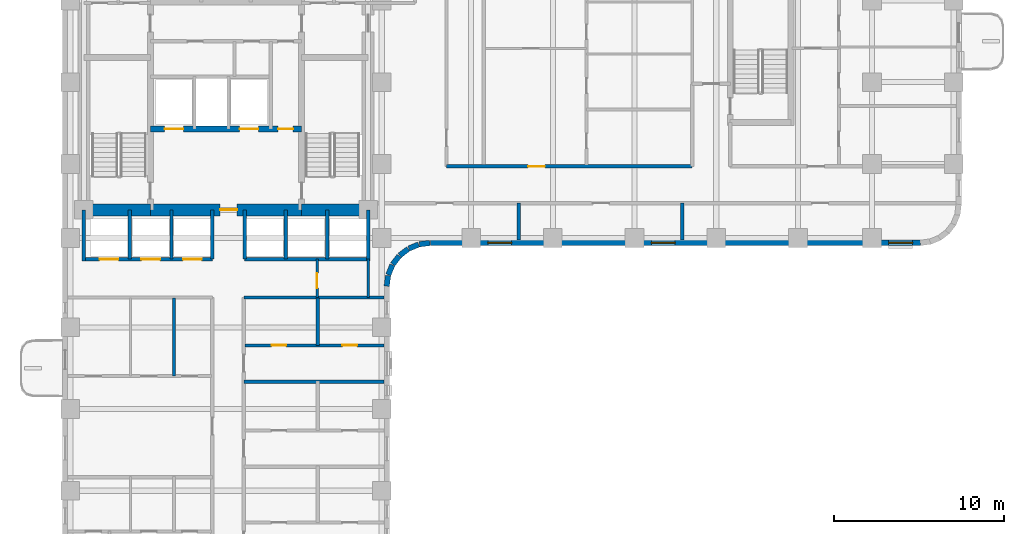
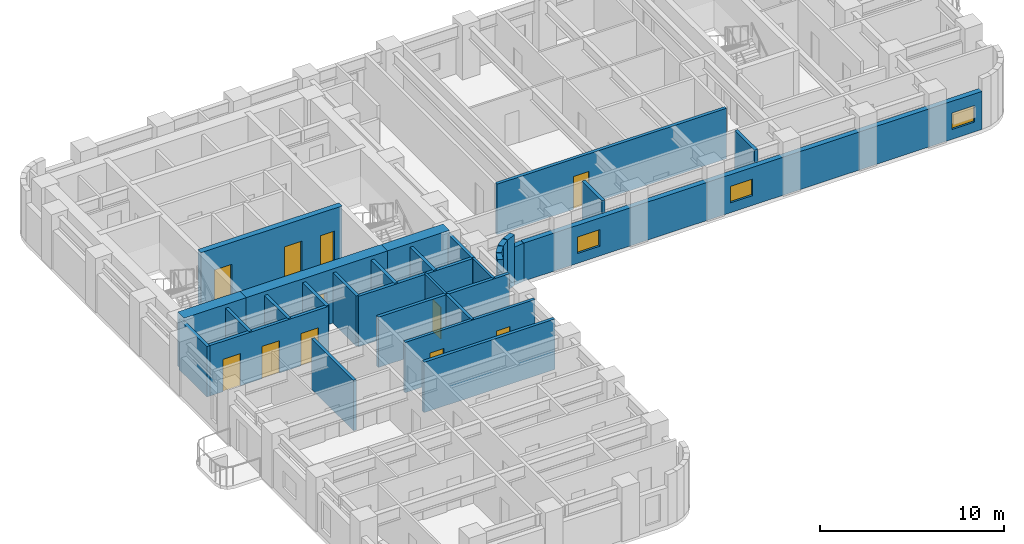
# One storey, part 4 of 11: 31 walls, 11 doors, 3 windows, 14 openings.
"""IFC4 building model written with IfcOpenShell, lengths in metres."""

from ifc_helpers import new_model, si_unit, direction, frame, frame_2d, origin, place, context, subcontext, project, spatial, rectangle, extrude, material, layer, layer_set, type_object, element, fill, save


model = new_model("IFC4")

# Units and contexts
model_context = context("Model", 3, precision=1e-05, world=origin(), true_north=direction((0.0, 1.0)))
body_context = subcontext(model_context, "Body", "Model", "MODEL_VIEW")
ifc_project = project(units=[si_unit("LENGTHUNIT", "METRE"), si_unit("AREAUNIT", "SQUARE_METRE"), si_unit("VOLUMEUNIT", "CUBIC_METRE"), si_unit("PLANEANGLEUNIT", "RADIAN"), si_unit("MASSUNIT", "GRAM", prefix="KILO")], contexts=[model_context])

# Site, building, storey
site_placement = place(None, origin())
site = spatial("IfcSite", under=ifc_project, at=site_placement, CompositionType="ELEMENT")
building_placement = place(site_placement, origin())
building = spatial("IfcBuilding", under=site, at=building_placement, Name="Orvandelia Arch Residences", CompositionType="ELEMENT")
storey_placement = place(building_placement, frame((0.0, 0.0, 61.0)))
storey = spatial("IfcBuildingStorey", under=building, at=storey_placement, Name="L15", CompositionType="ELEMENT", Elevation=61.0)

# Wall, openings, doors
ifc_material_1 = material(Name="Concrete C50/60", Category="concrete")
ifc_layer_1 = layer(ifc_material_1, 0.35009765625, Name="Concrete C50/60", Category="concrete")
ifc_layer_set_1 = layer_set([ifc_layer_1], Name="Concrete C50/60")
wall_type_1 = type_object("IfcWallType", Name="WL-CORE-350", PredefinedType="SHEAR", material=ifc_layer_set_1)
wall_1_placement = place(storey_placement, frame((9.9599609375, 35.64990234375, 0.0), z_axis=(0.0, 0.0, 1.0), x_axis=(1.0, 0.0, 0.0)))
wall_1 = element("IfcWall", 1, at=wall_1_placement, inside=storey, type_object=wall_type_1, Name="Core Shear Wall L15-HZ3", PredefinedType="SHEAR", context=body_context, shape_type="SweptSolid", body=[
    extrude(rectangle(XDim=8.880126953125, YDim=0.35009765625, at=frame_2d((4.43994140625, 0.0))), origin(), (0.0, 0.0, 1.0), 3.60009765625),
])
opening_1_placement = place(wall_1_placement, frame((0.840087890625, 0.0, 0.0)))
opening_1 = element("IfcOpeningElement", 2, at=opening_1_placement, cuts=wall_1, Name="Opening FLD", PredefinedType="OPENING", context=body_context, shape_type="SweptSolid", body=[
    extrude(rectangle(XDim=1.10009765625, YDim=2.14990234375, at=frame_2d((0.550048828125, 1.074951171875))), frame((0.0, 0.18505859375, 0.0), z_axis=(0.0, -1.0, 0.0), x_axis=(1.0, 0.0, 0.0)), (0.0, 0.0, 1.0), 0.3701171875),
])
opening_2_placement = place(wall_1_placement, frame((5.239990234375, 0.0, 0.0)))
opening_2 = element("IfcOpeningElement", 3, at=opening_2_placement, cuts=wall_1, Name="Opening FLD", PredefinedType="OPENING", context=body_context, shape_type="SweptSolid", body=[
    extrude(rectangle(XDim=1.10009765625, YDim=2.14990234375, at=frame_2d((0.550048828125, 1.074951171875))), frame((0.0, 0.18505859375, 0.0), z_axis=(0.0, -1.0, 0.0), x_axis=(1.0, 0.0, 0.0)), (0.0, 0.0, 1.0), 0.3701171875),
])
opening_3_placement = place(wall_1_placement, frame((7.5, 0.0, 0.0)))
opening_3 = element("IfcOpeningElement", 4, at=opening_3_placement, cuts=wall_1, Name="Opening D5", PredefinedType="OPENING", context=body_context, shape_type="SweptSolid", body=[
    extrude(rectangle(XDim=0.8798828125, YDim=2.10009765625, at=frame_2d((0.43994140625, 1.050048828125))), frame((0.0, 0.18505859375, 0.0), z_axis=(0.0, -1.0, 0.0), x_axis=(1.0, 0.0, 0.0)), (0.0, 0.0, 1.0), 0.3701171875),
])
ifc_material_2 = material(Name="Firefighting Lift Stainless Sliding Door")
door_type_1 = type_object("IfcDoorType", Name="DR-FLFT-1100", OperationType="NOTDEFINED", PredefinedType="DOOR", material=ifc_material_2)
door_1_placement = place(opening_1_placement, origin())
door_1 = element("IfcDoor", 5, at=door_1_placement, inside=storey, type_object=door_type_1, Name="Firefighting Lift Landing Door FLD-FL1-L15", OperationType="SLIDING_TO_LEFT", OverallHeight=2.14990234375, OverallWidth=1.10009765625, PredefinedType="DOOR", context=body_context, shape_type="SweptSolid", body=[
    extrude(rectangle(XDim=1.10009765625, YDim=2.14990234375, at=frame_2d((0.550048828125, 1.074951171875))), frame((0.0, 0.02490234375, 0.0), z_axis=(0.0, -1.0, 0.0), x_axis=(1.0, 0.0, 0.0)), (0.0, 0.0, 1.0), 0.050048828125),
])
fill(opening_1, door_1)
door_2_placement = place(opening_2_placement, origin())
door_2 = element("IfcDoor", 6, at=door_2_placement, inside=storey, type_object=door_type_1, Name="Firefighting Lift Landing Door FLD-FL2-L15", OperationType="SLIDING_TO_RIGHT", OverallHeight=2.14990234375, OverallWidth=1.10009765625, PredefinedType="DOOR", context=body_context, shape_type="SweptSolid", body=[
    extrude(rectangle(XDim=1.10009765625, YDim=2.14990234375, at=frame_2d((0.550048828125, 1.074951171875))), frame((0.0, 0.02490234375, 0.0), z_axis=(0.0, -1.0, 0.0), x_axis=(1.0, 0.0, 0.0)), (0.0, 0.0, 1.0), 0.050048828125),
])
fill(opening_2, door_2)
ifc_material_3 = material(Name="Painted Galvanised Steel Service Door", Category="steel")
door_type_2 = type_object("IfcDoorType", Name="DR-SRV-880", OperationType="NOTDEFINED", PredefinedType="DOOR", material=ifc_material_3)
door_3_placement = place(opening_3_placement, origin())
door_3 = element("IfcDoor", 7, at=door_3_placement, inside=storey, type_object=door_type_2, Name="Core Stairway Passage South Fire Door L15", OperationType="SINGLE_SWING_LEFT", OverallHeight=2.10009765625, OverallWidth=0.8798828125, PredefinedType="DOOR", context=body_context, shape_type="SweptSolid", body=[
    extrude(rectangle(XDim=0.8798828125, YDim=2.10009765625, at=frame_2d((0.43994140625, 1.050048828125))), frame((0.0, 0.02490234375, 0.0), z_axis=(0.0, -1.0, 0.0), x_axis=(1.0, 0.0, 0.0)), (0.0, 0.0, 1.0), 0.050048828125),
])
fill(opening_3, door_3)

# Wall
ifc_material_4 = material(Name="Concrete C80/95", Category="concrete")
ifc_layer_2 = layer(ifc_material_4, 0.699951171875, Name="Concrete C80/95", Category="concrete")
ifc_layer_set_2 = layer_set([ifc_layer_2], Name="Concrete C80/95")
wall_type_2 = type_object("IfcWallType", Name="WL-CORE-700", PredefinedType="SHEAR", material=ifc_layer_set_2)
wall_2_placement = place(storey_placement, frame((6.050048828125, 30.89990234375, 0.0), z_axis=(0.0, 0.0, 1.0), x_axis=(1.0, 0.0, 0.0)))
element("IfcWall", 8, at=wall_2_placement, inside=storey, type_object=wall_type_2, Name="Core Shear Wall L15-SW", PredefinedType="SHEAR", context=body_context, shape_type="SweptSolid", body=[
    extrude(rectangle(XDim=3.909912109375, YDim=0.699951171875, at=frame_2d((1.955078125, 0.0))), origin(), (0.0, 0.0, 1.0), 3.60009765625),
])

# Wall, opening, door
wall_3_placement = place(storey_placement, frame((9.9599609375, 30.89990234375, 0.0), z_axis=(0.0, 0.0, 1.0), x_axis=(1.0, 0.0, 0.0)))
wall_3 = element("IfcWall", 9, at=wall_3_placement, inside=storey, type_object=wall_type_2, Name="Core Shear Wall L15-SM", PredefinedType="SHEAR", context=body_context, shape_type="SweptSolid", body=[
    extrude(rectangle(XDim=8.880126953125, YDim=0.699951171875, at=frame_2d((4.43994140625, 0.0))), origin(), (0.0, 0.0, 1.0), 3.60009765625),
])
opening_4_placement = place(wall_3_placement, frame((4.090087890625, 0.0, 0.0)))
opening_4 = element("IfcOpeningElement", 10, at=opening_4_placement, cuts=wall_3, Name="Opening D6", PredefinedType="OPENING", context=body_context, shape_type="SweptSolid", body=[
    extrude(rectangle(XDim=1.0, YDim=2.14990234375, at=frame_2d((0.5, 1.074951171875))), frame((0.0, 0.35986328125, 0.0), z_axis=(0.0, -1.0, 0.0), x_axis=(1.0, 0.0, 0.0)), (0.0, 0.0, 1.0), 0.719970703125),
])
ifc_material_5 = material(Name="Smokeproof Painted Steel Fire Door", Category="steel")
door_type_3 = type_object("IfcDoorType", Name="DR-FD60-1000", OperationType="NOTDEFINED", PredefinedType="DOOR", material=ifc_material_5)
door_4_placement = place(opening_4_placement, origin())
door_4 = element("IfcDoor", 11, at=door_4_placement, inside=storey, type_object=door_type_3, Name="Firefighting Lobby Smokeproof Door L15", OperationType="SINGLE_SWING_LEFT", OverallHeight=2.14990234375, OverallWidth=1.0, PredefinedType="DOOR", context=body_context, shape_type="SweptSolid", body=[
    extrude(rectangle(XDim=1.0, YDim=2.14990234375, at=frame_2d((0.5, 1.074951171875))), frame((0.0, 0.02490234375, 0.0), z_axis=(0.0, -1.0, 0.0), x_axis=(1.0, 0.0, 0.0)), (0.0, 0.0, 1.0), 0.050048828125),
])
fill(opening_4, door_4)

# Walls
wall_4_placement = place(storey_placement, frame((18.840087890625, 30.89990234375, 0.0), z_axis=(0.0, 0.0, 1.0), x_axis=(1.0, 0.0, 0.0)))
element("IfcWall", 12, at=wall_4_placement, inside=storey, type_object=wall_type_2, Name="Core Shear Wall L15-SE", PredefinedType="SHEAR", context=body_context, shape_type="SweptSolid", body=[
    extrude(rectangle(XDim=3.909912109375, YDim=0.699951171875, at=frame_2d((1.955078125, 0.0))), origin(), (0.0, 0.0, 1.0), 3.60009765625),
])
ifc_material_6 = material(Name="Fire-Rated Corridor Partition")
ifc_layer_3 = layer(ifc_material_6, 0.199951171875, Name="Fire-Rated Corridor Partition")
ifc_layer_set_3 = layer_set([ifc_layer_3], Name="Fire-Rated Corridor Partition")
wall_type_3 = type_object("IfcWallType", Name="WL-CORR-200", PredefinedType="PARTITIONING", material=ifc_layer_set_3)
wall_5_placement = place(storey_placement, frame((15.449951171875, 25.75, 0.0), z_axis=(0.0, 0.0, 1.0), x_axis=(1.0, 0.0, 0.0)))
element("IfcWall", 13, at=wall_5_placement, inside=storey, type_object=wall_type_3, Name="Interior Partition Wall WL-L15-WCLS-E", PredefinedType="PARTITIONING", context=body_context, shape_type="SweptSolid", body=[
    extrude(rectangle(XDim=8.22998046875, YDim=0.199951171875, at=frame_2d((4.114990234375, 0.0))), origin(), (0.0, 0.0, 1.0), 3.35009765625),
])

# Wall, opening, door
wall_6_placement = place(storey_placement, frame((27.35009765625, 33.449951171875, 0.0), z_axis=(0.0, 0.0, 1.0), x_axis=(1.0, 0.0, 0.0)))
wall_6 = element("IfcWall", 14, at=wall_6_placement, inside=storey, type_object=wall_type_3, Name="Interior Partition Wall WL-L15-ES-N1", PredefinedType="PARTITIONING", context=body_context, shape_type="SweptSolid", body=[
    extrude(rectangle(XDim=14.429931640625, YDim=0.199951171875, at=frame_2d((7.21484375, 0.0))), origin(), (0.0, 0.0, 1.0), 3.35009765625),
])
opening_5_placement = place(wall_6_placement, frame((4.803466796875, 0.0, 0.0)))
opening_5 = element("IfcOpeningElement", 15, at=opening_5_placement, cuts=wall_6, Name="Opening D1", PredefinedType="OPENING", context=body_context, shape_type="SweptSolid", body=[
    extrude(rectangle(XDim=0.97998046875, YDim=2.179931640625, at=frame_2d((0.489990234375, 1.08984375))), frame((0.0, 0.10986328125, 0.0), z_axis=(0.0, -1.0, 0.0), x_axis=(1.0, 0.0, 0.0)), (0.0, 0.0, 1.0), 0.219970703125),
])
ifc_material_7 = material(Name="Solid-Core Timber Acoustic Fire Door", Category="wood")
door_type_4 = type_object("IfcDoorType", Name="DR-ENT-980", OperationType="NOTDEFINED", PredefinedType="DOOR", material=ifc_material_7)
door_5_placement = place(opening_5_placement, origin())
door_5 = element("IfcDoor", 16, at=door_5_placement, inside=storey, type_object=door_type_4, Name="Unit L15-07 Entrance Door", OperationType="SINGLE_SWING_LEFT", OverallHeight=2.179931640625, OverallWidth=0.97998046875, PredefinedType="DOOR", context=body_context, shape_type="SweptSolid", body=[
    extrude(rectangle(XDim=0.97998046875, YDim=2.179931640625, at=frame_2d((0.489990234375, 1.08984375))), frame((0.0, 0.02490234375, 0.0), z_axis=(0.0, -1.0, 0.0), x_axis=(1.0, 0.0, 0.0)), (0.0, 0.0, 1.0), 0.050048828125),
])
fill(opening_5, door_5)

# Walls
ifc_material_8 = material(Name="Concrete C40/50", Category="concrete")
ifc_layer_4 = layer(ifc_material_8, 0.199951171875, Name="Concrete C40/50", Category="concrete")
ifc_layer_set_4 = layer_set([ifc_layer_4], Name="Concrete C40/50")
wall_type_4 = type_object("IfcWallType", Name="WL-DEM-200", PredefinedType="SOLIDWALL", material=ifc_layer_set_4)
wall_7_placement = place(storey_placement, frame((15.449951171875, 20.800048828125, 0.0), z_axis=(0.0, 0.0, 1.0), x_axis=(1.0, 0.0, 0.0)))
element("IfcWall", 17, at=wall_7_placement, inside=storey, type_object=wall_type_4, Name="Interior Partition Wall WL-L15-DEM-WR-208", PredefinedType="SOLIDWALL", context=body_context, shape_type="SweptSolid", body=[
    extrude(rectangle(XDim=8.22998046875, YDim=0.199951171875, at=frame_2d((4.114990234375, 0.0))), origin(), (0.0, 0.0, 1.0), 3.35009765625),
])
for number, where, z_axis, x_axis, name in (
    (18, (31.60009765625, 29.1201171875, 0.0), (0.0, 0.0, 1.0), (0.0, 1.0, 0.0), "Interior Partition Wall WL-L15-ESSD-1"),
    (19, (41.199951171875, 29.1201171875, 0.0), (0.0, 0.0, 1.0), (0.0, 1.0, 0.0), "Interior Partition Wall WL-L15-ESSD-2"),
):
    element("IfcWall", number, at=place(storey_placement, frame(where, z_axis=z_axis, x_axis=x_axis)), inside=storey, type_object=wall_type_4, Name=name, PredefinedType="SOLIDWALL", context=body_context, shape_type="SweptSolid", body=[
        extrude(rectangle(XDim=2.179931640625, YDim=0.199951171875, at=frame_2d((1.08984375, 0.0))), origin(), (0.0, 0.0, 1.0), 3.35009765625),
    ])

# Wall, openings, windows
ifc_material_9 = material(Name="Precast concrete C40/50", Category="concrete")
ifc_layer_5 = layer(ifc_material_9, 0.320068359375, Name="Precast concrete C40/50", Category="concrete")
ifc_layer_set_5 = layer_set([ifc_layer_5], Name="Precast concrete C40/50")
wall_type_5 = type_object("IfcWallType", Name="WL-EXT-STONE-320", PredefinedType="STANDARD", material=ifc_layer_set_5)
wall_8_placement = place(storey_placement, frame((55.199951171875, 28.9599609375, 0.0), z_axis=(0.0, 0.0, 1.0), x_axis=(-1.0, 0.0, 0.0)))
wall_8 = element("IfcWall", 20, at=wall_8_placement, inside=storey, type_object=wall_type_5, Name="Coral-Limestone Precast Facade Wall L15-021", PredefinedType="STANDARD", context=body_context, shape_type="SweptSolid", body=[
    extrude(rectangle(XDim=28.800048828125, YDim=0.320068359375, at=frame_2d((14.39990234375, 0.0))), origin(), (0.0, 0.0, 1.0), 2.530029296875),
])
opening_6_placement = place(wall_8_placement, frame((24.014892578125, 0.0, 0.64990234375)))
opening_6 = element("IfcOpeningElement", 21, at=opening_6_placement, cuts=wall_8, Name="Opening W10", PredefinedType="OPENING", context=body_context, shape_type="SweptSolid", body=[
    extrude(rectangle(XDim=1.39990234375, YDim=1.10009765625, at=frame_2d((0.699951171875, 0.550048828125))), frame((0.0, 0.169921875, 0.0), z_axis=(0.0, -1.0, 0.0), x_axis=(1.0, 0.0, 0.0)), (0.0, 0.0, 1.0), 0.340087890625),
])
opening_7_placement = place(wall_8_placement, frame((14.4150390625, 0.0, 0.64990234375)))
opening_7 = element("IfcOpeningElement", 22, at=opening_7_placement, cuts=wall_8, Name="Opening W10", PredefinedType="OPENING", context=body_context, shape_type="SweptSolid", body=[
    extrude(rectangle(XDim=1.39990234375, YDim=1.10009765625, at=frame_2d((0.699951171875, 0.550048828125))), frame((0.0, 0.169921875, 0.0), z_axis=(0.0, -1.0, 0.0), x_axis=(1.0, 0.0, 0.0)), (0.0, 0.0, 1.0), 0.340087890625),
])
opening_8_placement = place(wall_8_placement, frame((0.469970703125, 0.0, 0.64990234375)))
opening_8 = element("IfcOpeningElement", 23, at=opening_8_placement, cuts=wall_8, Name="Opening W10", PredefinedType="OPENING", context=body_context, shape_type="SweptSolid", body=[
    extrude(rectangle(XDim=1.39990234375, YDim=1.10009765625, at=frame_2d((0.699951171875, 0.550048828125))), frame((0.0, 0.169921875, 0.0), z_axis=(0.0, -1.0, 0.0), x_axis=(1.0, 0.0, 0.0)), (0.0, 0.0, 1.0), 0.340087890625),
])
ifc_material_10 = material(Name="Tempered Low-E Insulated Glazing", Category="glass")
window_type = type_object("IfcWindowType", Name="WIN-CLR-1400x1100", PartitioningType="SINGLE_PANEL", PredefinedType="WINDOW", material=ifc_material_10)
window_1_placement = place(opening_6_placement, origin())
window_1 = element("IfcWindow", 24, at=window_1_placement, inside=storey, type_object=window_type, Name="Recessed Punched Window L15-013", OverallHeight=1.10009765625, OverallWidth=1.39990234375, PartitioningType="SINGLE_PANEL", PredefinedType="WINDOW", context=body_context, shape_type="SweptSolid", body=[
    extrude(rectangle(XDim=1.39990234375, YDim=1.10009765625, at=frame_2d((0.699951171875, 0.550048828125))), frame((0.0, 0.030029296875, 0.0), z_axis=(0.0, -1.0, 0.0), x_axis=(1.0, 0.0, 0.0)), (0.0, 0.0, 1.0), 0.06005859375),
])
fill(opening_6, window_1)
window_2_placement = place(opening_7_placement, origin())
window_2 = element("IfcWindow", 25, at=window_2_placement, inside=storey, type_object=window_type, Name="Recessed Punched Window L15-014", OverallHeight=1.10009765625, OverallWidth=1.39990234375, PartitioningType="SINGLE_PANEL", PredefinedType="WINDOW", context=body_context, shape_type="SweptSolid", body=[
    extrude(rectangle(XDim=1.39990234375, YDim=1.10009765625, at=frame_2d((0.699951171875, 0.550048828125))), frame((0.0, 0.030029296875, 0.0), z_axis=(0.0, -1.0, 0.0), x_axis=(1.0, 0.0, 0.0)), (0.0, 0.0, 1.0), 0.06005859375),
])
fill(opening_7, window_2)
window_3_placement = place(opening_8_placement, origin())
window_3 = element("IfcWindow", 26, at=window_3_placement, inside=storey, type_object=window_type, Name="Recessed Punched Window L15-015", OverallHeight=1.10009765625, OverallWidth=1.39990234375, PartitioningType="SINGLE_PANEL", PredefinedType="WINDOW", context=body_context, shape_type="SweptSolid", body=[
    extrude(rectangle(XDim=1.39990234375, YDim=1.10009765625, at=frame_2d((0.699951171875, 0.550048828125))), frame((0.0, 0.030029296875, 0.0), z_axis=(0.0, -1.0, 0.0), x_axis=(1.0, 0.0, 0.0)), (0.0, 0.0, 1.0), 0.06005859375),
])
fill(opening_8, window_3)

# Walls
wall_9_placement = place(storey_placement, frame((26.379150390625, 28.95849609375, 0.0), z_axis=(0.0, 0.0, 1.0), x_axis=(-0.991447664465, -0.130504898859, 0.0)))
element("IfcWall", 27, at=wall_9_placement, inside=storey, type_object=wall_type_5, Name="Coral-Limestone Precast Facade Wall L15-022", PredefinedType="STANDARD", context=body_context, shape_type="SweptSolid", body=[
    extrude(rectangle(XDim=0.626708984375, YDim=0.320068359375, at=frame_2d((0.3134765625, 0.0))), origin(), (0.0, 0.0, 1.0), 2.530029296875),
])
wall_10_placement = place(storey_placement, frame((25.717529296875, 28.865966796875, 0.0), z_axis=(0.0, 0.0, 1.0), x_axis=(-0.923836271867, -0.382787856107, 0.0)))
element("IfcWall", 28, at=wall_10_placement, inside=storey, type_object=wall_type_5, Name="Coral-Limestone Precast Facade Wall L15-023", PredefinedType="STANDARD", context=body_context, shape_type="SweptSolid", body=[
    extrude(rectangle(XDim=0.626220703125, YDim=0.320068359375, at=frame_2d((0.31298828125, 0.0))), origin(), (0.0, 0.0, 1.0), 3.35009765625),
])
for number, where, z_axis, x_axis, name in (
    (29, (25.1025390625, 28.60546875, 0.0), (0.0, 0.0, 1.0), (-0.793405610854, -0.608693302629, 0.0), "Coral-Limestone Precast Facade Wall L15-024"),
    (30, (24.575927734375, 28.194580078125, 0.0), (0.0, 0.0, 1.0), (-0.608693302629, -0.793405610854, 0.0), "Coral-Limestone Precast Facade Wall L15-025"),
):
    element("IfcWall", number, at=place(storey_placement, frame(where, z_axis=z_axis, x_axis=x_axis)), inside=storey, type_object=wall_type_5, Name=name, PredefinedType="STANDARD", context=body_context, shape_type="SweptSolid", body=[
        extrude(rectangle(XDim=0.62646484375, YDim=0.320068359375, at=frame_2d((0.313232421875, 0.0))), origin(), (0.0, 0.0, 1.0), 3.35009765625),
    ])
wall_11_placement = place(storey_placement, frame((24.173583984375, 27.6611328125, 0.0), z_axis=(0.0, 0.0, 1.0), x_axis=(-0.382455093999, -0.923974080304, 0.0)))
element("IfcWall", 31, at=wall_11_placement, inside=storey, type_object=wall_type_5, Name="Coral-Limestone Precast Facade Wall L15-026", PredefinedType="STANDARD", context=body_context, shape_type="SweptSolid", body=[
    extrude(rectangle(XDim=0.626220703125, YDim=0.320068359375, at=frame_2d((0.31298828125, 0.0))), origin(), (0.0, 0.0, 1.0), 3.35009765625),
])
wall_12_placement = place(storey_placement, frame((23.923095703125, 27.0419921875, 0.0), z_axis=(0.0, 0.0, 1.0), x_axis=(-0.130555323746, -0.9914410257, 0.0)))
element("IfcWall", 32, at=wall_12_placement, inside=storey, type_object=wall_type_5, Name="Coral-Limestone Precast Facade Wall L15-027", PredefinedType="STANDARD", context=body_context, shape_type="SweptSolid", body=[
    extrude(rectangle(XDim=0.62646484375, YDim=0.320068359375, at=frame_2d((0.313232421875, 0.0))), origin(), (0.0, 0.0, 1.0), 2.530029296875),
])

# Wall, opening, door
ifc_material_11 = material(Name="Acoustic Gypsum Stud Partition")
ifc_layer_6 = layer(ifc_material_11, 0.14990234375, Name="Acoustic Gypsum Stud Partition")
ifc_layer_set_6 = layer_set([ifc_layer_6], Name="Acoustic Gypsum Stud Partition")
wall_type_6 = type_object("IfcWallType", Name="WL-PART-150", PredefinedType="PARTITIONING", material=ifc_layer_set_6)
wall_13_placement = place(storey_placement, frame((19.75, 25.75, 0.0), z_axis=(0.0, 0.0, 1.0), x_axis=(0.0, 1.0, 0.0)))
wall_13 = element("IfcWall", 33, at=wall_13_placement, inside=storey, type_object=wall_type_6, Name="Interior Partition Wall WL-L15-HLS-EW3", PredefinedType="PARTITIONING", context=body_context, shape_type="SweptSolid", body=[
    extrude(rectangle(XDim=2.25, YDim=0.14990234375, at=frame_2d((1.125, 0.0))), origin(), (0.0, 0.0, 1.0), 3.35009765625),
])
opening_9_placement = place(wall_13_placement, frame((0.550048828125, 0.0, 0.0)))
opening_9 = element("IfcOpeningElement", 34, at=opening_9_placement, cuts=wall_13, Name="Opening D5", PredefinedType="OPENING", context=body_context, shape_type="SweptSolid", body=[
    extrude(rectangle(XDim=0.8798828125, YDim=2.10009765625, at=frame_2d((0.43994140625, 1.050048828125))), frame((0.0, 0.0849609375, 0.0), z_axis=(0.0, -1.0, 0.0), x_axis=(1.0, 0.0, 0.0)), (0.0, 0.0, 1.0), 0.169921875),
])
door_6_placement = place(opening_9_placement, origin())
door_6 = element("IfcDoor", 35, at=door_6_placement, inside=storey, type_object=door_type_2, Name="DR-L15-CSZ1A", OperationType="SINGLE_SWING_RIGHT", OverallHeight=2.10009765625, OverallWidth=0.8798828125, PredefinedType="DOOR", context=body_context, shape_type="SweptSolid", body=[
    extrude(rectangle(XDim=0.8798828125, YDim=2.10009765625, at=frame_2d((0.43994140625, 1.050048828125))), frame((0.0, 0.02490234375, 0.0), z_axis=(0.0, -1.0, 0.0), x_axis=(1.0, 0.0, 0.0)), (0.0, 0.0, 1.0), 0.050048828125),
])
fill(opening_9, door_6)

# Wall
wall_14_placement = place(storey_placement, frame((22.75, 25.75, 0.0), z_axis=(0.0, 0.0, 1.0), x_axis=(0.0, 1.0, 0.0)))
element("IfcWall", 36, at=wall_14_placement, inside=storey, type_object=wall_type_6, Name="Interior Partition Wall WL-L15-HLS-EE", PredefinedType="PARTITIONING", context=body_context, shape_type="SweptSolid", body=[
    extrude(rectangle(XDim=2.25, YDim=0.14990234375, at=frame_2d((1.125, 0.0))), origin(), (0.0, 0.0, 1.0), 3.35009765625),
])

# Wall, openings, doors
ifc_material_12 = material(Name="Fire-Rated Shaft Enclosure Wall")
ifc_layer_7 = layer(ifc_material_12, 0.199951171875, Name="Fire-Rated Shaft Enclosure Wall")
ifc_layer_set_7 = layer_set([ifc_layer_7], Name="Fire-Rated Shaft Enclosure Wall")
wall_type_7 = type_object("IfcWallType", Name="WL-SHAFT-200", PredefinedType="POLYGONAL", material=ifc_layer_set_7)
wall_15_placement = place(storey_placement, frame((6.050048828125, 28.0, 0.0), z_axis=(0.0, 0.0, 1.0), x_axis=(1.0, 0.0, 0.0)))
wall_15 = element("IfcWall", 37, at=wall_15_placement, inside=storey, type_object=wall_type_7, Name="Interior Partition Wall WL-L15-BNKL-S", PredefinedType="POLYGONAL", context=body_context, shape_type="SweptSolid", body=[
    extrude(rectangle(XDim=7.550048828125, YDim=0.199951171875, at=frame_2d((3.77490234375, 0.0))), origin(), (0.0, 0.0, 1.0), 3.35009765625),
])
opening_10_placement = place(wall_15_placement, frame((0.925048828125, 0.0, 0.0)))
opening_10 = element("IfcOpeningElement", 38, at=opening_10_placement, cuts=wall_15, Name="Opening LD", PredefinedType="OPENING", context=body_context, shape_type="SweptSolid", body=[
    extrude(rectangle(XDim=1.10009765625, YDim=2.14990234375, at=frame_2d((0.550048828125, 1.074951171875))), frame((0.0, 0.10986328125, 0.0), z_axis=(0.0, -1.0, 0.0), x_axis=(1.0, 0.0, 0.0)), (0.0, 0.0, 1.0), 0.219970703125),
])
opening_11_placement = place(wall_15_placement, frame((3.375, 0.0, 0.0)))
opening_11 = element("IfcOpeningElement", 39, at=opening_11_placement, cuts=wall_15, Name="Opening LD", PredefinedType="OPENING", context=body_context, shape_type="SweptSolid", body=[
    extrude(rectangle(XDim=1.10009765625, YDim=2.14990234375, at=frame_2d((0.550048828125, 1.074951171875))), frame((0.0, 0.10986328125, 0.0), z_axis=(0.0, -1.0, 0.0), x_axis=(1.0, 0.0, 0.0)), (0.0, 0.0, 1.0), 0.219970703125),
])
opening_12_placement = place(wall_15_placement, frame((5.824951171875, 0.0, 0.0)))
opening_12 = element("IfcOpeningElement", 40, at=opening_12_placement, cuts=wall_15, Name="Opening LD", PredefinedType="OPENING", context=body_context, shape_type="SweptSolid", body=[
    extrude(rectangle(XDim=1.10009765625, YDim=2.14990234375, at=frame_2d((0.550048828125, 1.074951171875))), frame((0.0, 0.10986328125, 0.0), z_axis=(0.0, -1.0, 0.0), x_axis=(1.0, 0.0, 0.0)), (0.0, 0.0, 1.0), 0.219970703125),
])
ifc_material_13 = material(Name="Brushed Stainless Steel Sliding Lift Door", Category="steel")
door_type_5 = type_object("IfcDoorType", Name="DR-LIFT-1100", OperationType="NOTDEFINED", PredefinedType="DOOR", material=ifc_material_13)
door_7_placement = place(opening_10_placement, origin())
door_7 = element("IfcDoor", 41, at=door_7_placement, inside=storey, type_object=door_type_5, Name="Lift Landing Door LD-PL1", OperationType="SLIDING_TO_LEFT", OverallHeight=2.14990234375, OverallWidth=1.10009765625, PredefinedType="DOOR", context=body_context, shape_type="SweptSolid", body=[
    extrude(rectangle(XDim=1.10009765625, YDim=2.14990234375, at=frame_2d((0.550048828125, 1.074951171875))), frame((0.0, 0.02490234375, 0.0), z_axis=(0.0, -1.0, 0.0), x_axis=(1.0, 0.0, 0.0)), (0.0, 0.0, 1.0), 0.050048828125),
])
fill(opening_10, door_7)
door_8_placement = place(opening_11_placement, origin())
door_8 = element("IfcDoor", 42, at=door_8_placement, inside=storey, type_object=door_type_5, Name="Lift Landing Door LD-PL2", OperationType="SLIDING_TO_RIGHT", OverallHeight=2.14990234375, OverallWidth=1.10009765625, PredefinedType="DOOR", context=body_context, shape_type="SweptSolid", body=[
    extrude(rectangle(XDim=1.10009765625, YDim=2.14990234375, at=frame_2d((0.550048828125, 1.074951171875))), frame((0.0, 0.02490234375, 0.0), z_axis=(0.0, -1.0, 0.0), x_axis=(1.0, 0.0, 0.0)), (0.0, 0.0, 1.0), 0.050048828125),
])
fill(opening_11, door_8)
door_9_placement = place(opening_12_placement, origin())
door_9 = element("IfcDoor", 43, at=door_9_placement, inside=storey, type_object=door_type_5, Name="Lift Landing Door LD-PL3", OperationType="SLIDING_TO_LEFT", OverallHeight=2.14990234375, OverallWidth=1.10009765625, PredefinedType="DOOR", context=body_context, shape_type="SweptSolid", body=[
    extrude(rectangle(XDim=1.10009765625, YDim=2.14990234375, at=frame_2d((0.550048828125, 1.074951171875))), frame((0.0, 0.02490234375, 0.0), z_axis=(0.0, -1.0, 0.0), x_axis=(1.0, 0.0, 0.0)), (0.0, 0.0, 1.0), 0.050048828125),
])
fill(opening_12, door_9)

# Walls
wall_16_placement = place(storey_placement, frame((15.5, 28.0, 0.0), z_axis=(0.0, 0.0, 1.0), x_axis=(1.0, 0.0, 0.0)))
element("IfcWall", 44, at=wall_16_placement, inside=storey, type_object=wall_type_7, Name="Interior Partition Wall WL-L15-BNKM-S", PredefinedType="POLYGONAL", context=body_context, shape_type="SweptSolid", body=[
    extrude(rectangle(XDim=7.25, YDim=0.199951171875, at=frame_2d((3.625, 0.0))), origin(), (0.0, 0.0, 1.0), 3.35009765625),
])
for number, where, z_axis, x_axis, name in (
    (45, (6.050048828125, 27.89990234375, 0.0), (0.0, 0.0, 1.0), (0.0, 1.0, 0.0), "Interior Partition Wall WL-L15-BNKL-W"),
    (46, (22.75, 27.89990234375, 0.0), (0.0, 0.0, 1.0), (0.0, 1.0, 0.0), "Interior Partition Wall WL-L15-BNKM-E"),
):
    element("IfcWall", number, at=place(storey_placement, frame(where, z_axis=z_axis, x_axis=x_axis)), inside=storey, type_object=wall_type_7, Name=name, PredefinedType="POLYGONAL", context=body_context, shape_type="SweptSolid", body=[
        extrude(rectangle(XDim=3.0, YDim=0.199951171875, at=frame_2d((1.5, 0.0))), origin(), (0.0, 0.0, 1.0), 3.35009765625),
    ])
for number, where, z_axis, x_axis, name in (
    (47, (13.60009765625, 28.0, 0.0), (0.0, 0.0, 1.0), (0.0, 1.0, 0.0), "Interior Partition Wall WL-L15-BNKL-E"),
    (48, (15.5, 28.0, 0.0), (0.0, 0.0, 1.0), (0.0, 1.0, 0.0), "Interior Partition Wall WL-L15-BNKM-W"),
    (49, (8.75, 28.0, 0.0), (0.0, 0.0, 1.0), (0.0, 1.0, 0.0), "Interior Partition Wall WL-L15-BNKD-875"),
    (50, (11.199951171875, 28.0, 0.0), (0.0, 0.0, 1.0), (0.0, 1.0, 0.0), "Interior Partition Wall WL-L15-BNKD-1120"),
    (51, (17.89990234375, 28.0, 0.0), (0.0, 0.0, 1.0), (0.0, 1.0, 0.0), "Interior Partition Wall WL-L15-BNKD-1789"),
    (52, (20.35009765625, 28.0, 0.0), (0.0, 0.0, 1.0), (0.0, 1.0, 0.0), "Interior Partition Wall WL-L15-BNKD-2035"),
):
    element("IfcWall", number, at=place(storey_placement, frame(where, z_axis=z_axis, x_axis=x_axis)), inside=storey, type_object=wall_type_7, Name=name, PredefinedType="POLYGONAL", context=body_context, shape_type="SweptSolid", body=[
        extrude(rectangle(XDim=2.89990234375, YDim=0.199951171875, at=frame_2d((1.449951171875, 0.0))), origin(), (0.0, 0.0, 1.0), 3.35009765625),
    ])
ifc_material_14 = material(Name="Moisture-Resistant Plumbing Wall")
ifc_layer_8 = layer(ifc_material_14, 0.179931640625, Name="Moisture-Resistant Plumbing Wall")
ifc_layer_set_8 = layer_set([ifc_layer_8], Name="Moisture-Resistant Plumbing Wall")
wall_type_8 = type_object("IfcWallType", Name="WL-WET-180", PredefinedType="PLUMBINGWALL", material=ifc_layer_set_8)
wall_17_placement = place(storey_placement, frame((11.35498046875, 21.132080078125, 0.0), z_axis=(0.0, 0.0, 1.0), x_axis=(0.0, 1.0, 0.0)))
element("IfcWall", 53, at=wall_17_placement, inside=storey, type_object=wall_type_8, Name="Interior Partition Wall WL-L15-U02-V2", PredefinedType="PLUMBINGWALL", context=body_context, shape_type="SweptSolid", body=[
    extrude(rectangle(XDim=4.587890625, YDim=0.179931640625, at=frame_2d((2.2939453125, 0.0))), origin(), (0.0, 0.0, 1.0), 3.35009765625),
])

# Wall, openings, doors
wall_18_placement = place(storey_placement, frame((15.510009765625, 22.93994140625, 0.0), z_axis=(0.0, 0.0, 1.0), x_axis=(1.0, 0.0, 0.0)))
wall_18 = element("IfcWall", 54, at=wall_18_placement, inside=storey, type_object=wall_type_8, Name="Interior Partition Wall WL-L15-U06-HZ", PredefinedType="PLUMBINGWALL", context=body_context, shape_type="SweptSolid", body=[
    extrude(rectangle(XDim=8.169921875, YDim=0.179931640625, at=frame_2d((4.0849609375, 0.0))), origin(), (0.0, 0.0, 1.0), 3.35009765625),
])
opening_13_placement = place(wall_18_placement, frame((1.56494140625, 0.0, 0.0)))
opening_13 = element("IfcOpeningElement", 55, at=opening_13_placement, cuts=wall_18, Name="Opening D4", PredefinedType="OPENING", context=body_context, shape_type="SweptSolid", body=[
    extrude(rectangle(XDim=0.860107421875, YDim=2.10009765625, at=frame_2d((0.43017578125, 1.050048828125))), frame((0.0, 0.10009765625, 0.0), z_axis=(0.0, -1.0, 0.0), x_axis=(1.0, 0.0, 0.0)), (0.0, 0.0, 1.0), 0.199951171875),
])
opening_14_placement = place(wall_18_placement, frame((5.72998046875, 0.0, 0.0)))
opening_14 = element("IfcOpeningElement", 56, at=opening_14_placement, cuts=wall_18, Name="Opening D4", PredefinedType="OPENING", context=body_context, shape_type="SweptSolid", body=[
    extrude(rectangle(XDim=0.860107421875, YDim=2.10009765625, at=frame_2d((0.43017578125, 1.050048828125))), frame((0.0, 0.10009765625, 0.0), z_axis=(0.0, -1.0, 0.0), x_axis=(1.0, 0.0, 0.0)), (0.0, 0.0, 1.0), 0.199951171875),
])
ifc_material_15 = material(Name="Moisture-Sealed Timber Bathroom Door", Category="wood")
door_type_6 = type_object("IfcDoorType", Name="DR-WET-900", OperationType="NOTDEFINED", PredefinedType="DOOR", material=ifc_material_15)
door_10_placement = place(opening_13_placement, origin())
door_10 = element("IfcDoor", 57, at=door_10_placement, inside=storey, type_object=door_type_6, Name="DR-L15-U06-KIT", OperationType="SINGLE_SWING_RIGHT", OverallHeight=2.10009765625, OverallWidth=0.860107421875, PredefinedType="DOOR", context=body_context, shape_type="SweptSolid", body=[
    extrude(rectangle(XDim=0.860107421875, YDim=2.10009765625, at=frame_2d((0.43017578125, 1.050048828125))), frame((0.0, 0.02490234375, 0.0), z_axis=(0.0, -1.0, 0.0), x_axis=(1.0, 0.0, 0.0)), (0.0, 0.0, 1.0), 0.050048828125),
])
fill(opening_13, door_10)
door_11_placement = place(opening_14_placement, origin())
door_11 = element("IfcDoor", 58, at=door_11_placement, inside=storey, type_object=door_type_6, Name="DR-L15-U06-BTH", OperationType="SINGLE_SWING_LEFT", OverallHeight=2.10009765625, OverallWidth=0.860107421875, PredefinedType="DOOR", context=body_context, shape_type="SweptSolid", body=[
    extrude(rectangle(XDim=0.860107421875, YDim=2.10009765625, at=frame_2d((0.43017578125, 1.050048828125))), frame((0.0, 0.02490234375, 0.0), z_axis=(0.0, -1.0, 0.0), x_axis=(1.0, 0.0, 0.0)), (0.0, 0.0, 1.0), 0.050048828125),
])
fill(opening_14, door_11)

# Wall
wall_19_placement = place(storey_placement, frame((19.7900390625, 22.93994140625, 0.0), z_axis=(0.0, 0.0, 1.0), x_axis=(0.0, 1.0, 0.0)))
element("IfcWall", 59, at=wall_19_placement, inside=storey, type_object=wall_type_8, Name="Interior Partition Wall WL-L15-U06-V1", PredefinedType="PLUMBINGWALL", context=body_context, shape_type="SweptSolid", body=[
    extrude(rectangle(XDim=2.780029296875, YDim=0.179931640625, at=frame_2d((1.39013671875, 0.0))), origin(), (0.0, 0.0, 1.0), 3.35009765625),
])

save(model, "model.ifc")
